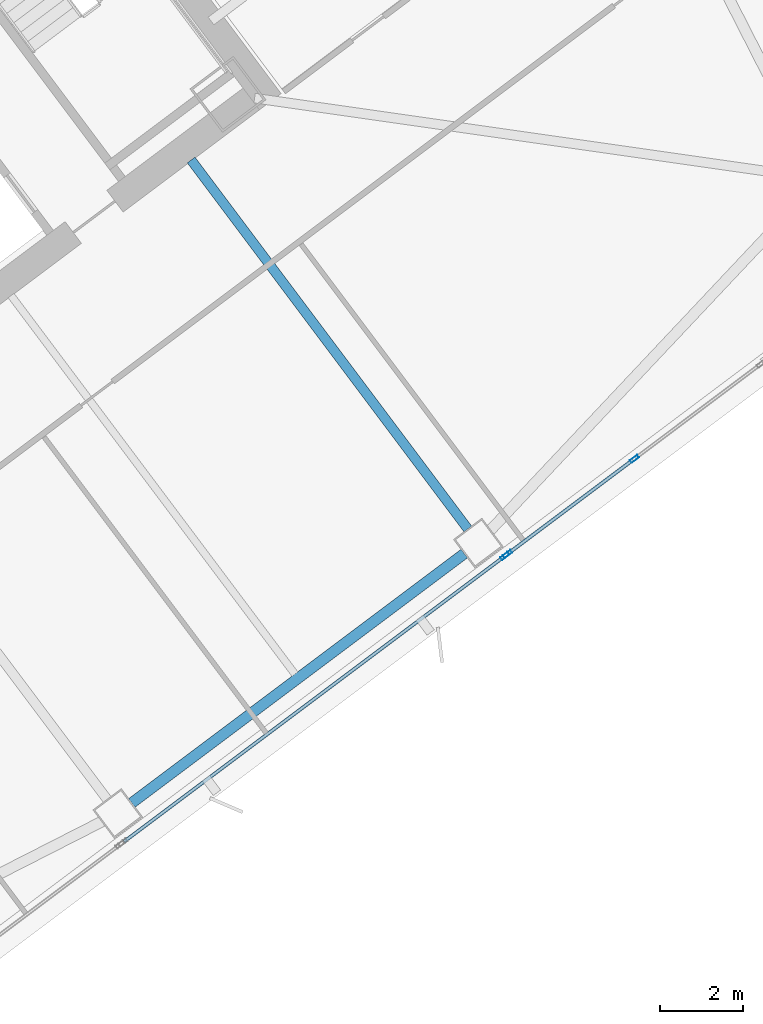
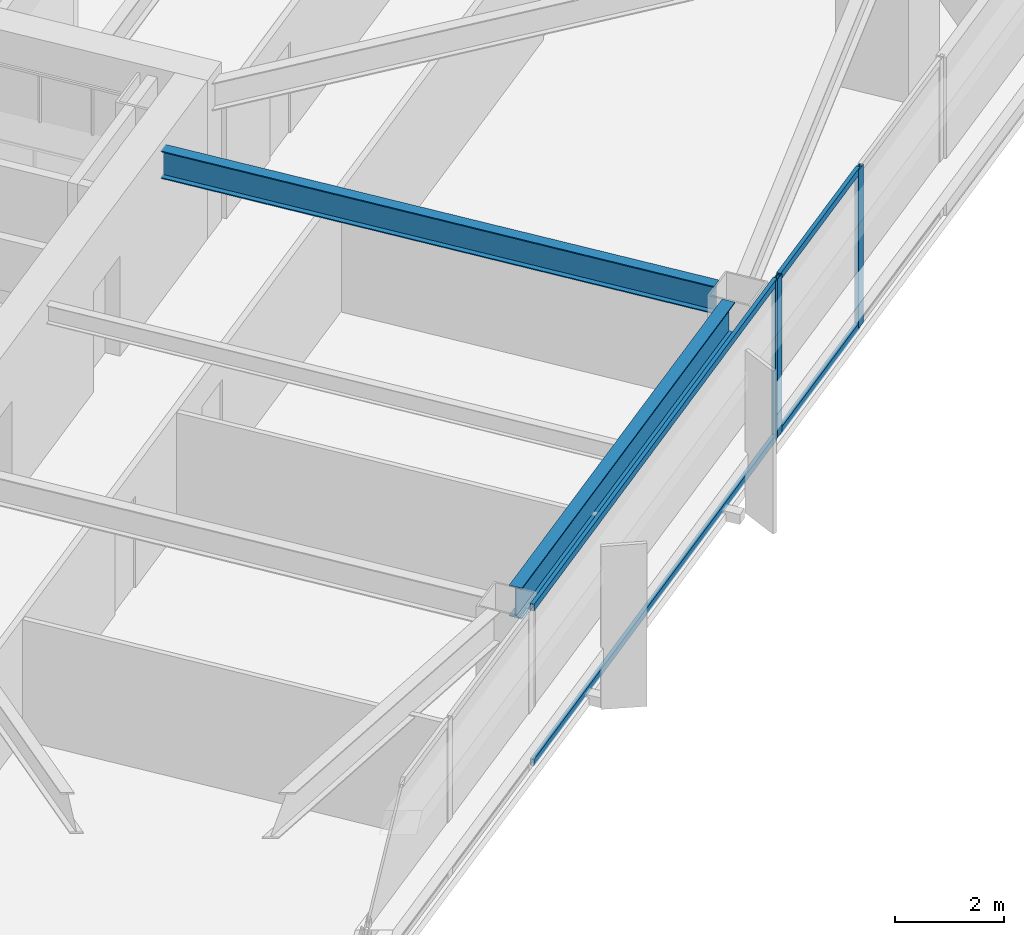
# One storey, part 26 of 49: 7 members, 2 beams, 2 elements without a shape of their own.
"""IFC4 building model written with IfcOpenShell, lengths in metres."""

from ifc_helpers import new_model, si_unit, direction, frame, origin, origin_2d, place, context, subcontext, project, spatial, hollow_rectangle, i_section, extrude, material, material_profile, profile_set, type_object, element, aggregate, save


model = new_model("IFC4")

# Units and contexts
model_context = context("Model", 3, precision=1e-05, world=origin(), true_north=direction((0.0, 1.0)))
body_context = subcontext(model_context, "Body", "Model", "MODEL_VIEW")
ifc_project = project(units=[si_unit("LENGTHUNIT", "METRE"), si_unit("AREAUNIT", "SQUARE_METRE"), si_unit("VOLUMEUNIT", "CUBIC_METRE"), si_unit("PLANEANGLEUNIT", "RADIAN"), si_unit("MASSUNIT", "GRAM", prefix="KILO")], contexts=[model_context])

# Site, building, storey
site_placement = place(None, origin())
site = spatial("IfcSite", under=ifc_project, at=site_placement, CompositionType="ELEMENT")
building_placement = place(site_placement, origin())
building = spatial("IfcBuilding", under=site, at=building_placement, Name="Tashvorn Skyway Center", CompositionType="ELEMENT")
storey_placement = place(building_placement, frame((0.0, 0.0, 70.75)))
storey = spatial("IfcBuildingStorey", under=building, at=storey_placement, Name="L18", CompositionType="ELEMENT", Elevation=70.75)

# Beams
ifc_material_1 = material(Name="Steel ASTM A992 Grade 50", Category="steel")
ifc_material_profile_1 = material_profile(ifc_material_1, i_section(OverallWidth=0.22998046875, OverallDepth=0.616943359375, WebThickness=0.01318359375, FlangeThickness=0.022216796875, at=origin_2d()), Name="W24X94")
ifc_profile_set_1 = profile_set([ifc_material_profile_1], Name="Steel ASTM A992 Grade 50")
beam_type_1 = type_object("IfcBeamType", Name="BM-BEAM-W24X94", PredefinedType="BEAM", material=ifc_profile_set_1)
beam_1_placement = place(storey_placement, frame((129.617919921875, 20.176025390625, 3.04150390625), z_axis=(-0.599989394744, 0.800007953832, 0.0), x_axis=(-0.800007953832, -0.599989394744, 0.0)))
element("IfcBeam", 1, at=beam_1_placement, inside=storey, type_object=beam_type_1, Name="Tower 2 L18 Primary Floor Girder FC-S2", PredefinedType="BEAM", context=body_context, shape_type="SweptSolid", body=[
    extrude(i_section(OverallWidth=0.22998046875, OverallDepth=0.616943359375, WebThickness=0.01318359375, FlangeThickness=0.022216796875, at=origin_2d()), origin(), (0.0, 0.0, 1.0), 11.050048828125),
])
ifc_material_profile_2 = material_profile(ifc_material_1, i_section(OverallWidth=0.256103515625, OverallDepth=0.693115234375, WebThickness=0.014404296875, FlangeThickness=0.023681640625, at=origin_2d()), Name="W27X114")
ifc_profile_set_2 = profile_set([ifc_material_profile_2], Name="Steel ASTM A992 Grade 50")
beam_type_2 = type_object("IfcBeamType", Name="BM-SPANDREL-W27X114", PredefinedType="SPANDREL", material=ifc_profile_set_2)
beam_2_placement = place(storey_placement, frame((121.56591796875, 13.612060546875, 3.00341796875), z_axis=(0.800008824351, 0.599988234018, 0.0), x_axis=(-0.599988234018, 0.800008824351, 0.0)))
element("IfcBeam", 2, at=beam_2_placement, inside=storey, type_object=beam_type_2, Name="Tower 2 L18 Spandrel Beam 02", PredefinedType="SPANDREL", context=body_context, shape_type="SweptSolid", body=[
    extrude(i_section(OverallWidth=0.256103515625, OverallDepth=0.693115234375, WebThickness=0.014404296875, FlangeThickness=0.023681640625, at=origin_2d()), origin(), (0.0, 0.0, 1.0), 9.9599609375),
])

# Curtain wall, members
ifc_material_2 = material(Name="Thermally broken bronze-anodized aluminium 6063-T6", Category="aluminium")
curtain_wall_type = type_object("IfcCurtainWallType", Name="CW-CW-Z2", PredefinedType="NOTDEFINED", material=ifc_material_2)
curtain_wall_1_placement = place(storey_placement, origin())
curtain_wall_1 = element("IfcCurtainWall", 3, at=curtain_wall_1_placement, inside=storey, type_object=curtain_wall_type, Name="Tower 2 L18 South Unitised Curtain Wall Glazing Group 1", PredefinedType="NOTDEFINED")
ifc_material_profile_3 = material_profile(ifc_material_2, hollow_rectangle(XDim=0.080078125, YDim=0.219970703125, WallThickness=0.0048828125, at=origin_2d()), Name="ALU-MULL-80x220")
ifc_profile_set_3 = profile_set([ifc_material_profile_3], Name="Thermally broken bronze-anodized aluminium 6063-T6")
member_type_1 = type_object("IfcMemberType", Name="CWM-CW-Z2", PredefinedType="MULLION", material=ifc_profile_set_3)
member_1_placement = place(storey_placement, frame((133.60791015625, 21.85595703125, 0.0), z_axis=(0.0, 0.0, 1.0), x_axis=(0.600000000002, -0.799999999998, 0.0)))
member_1 = element("IfcMember", 4, at=member_1_placement, type_object=member_type_1, Name="CW-Z2 mullion 2", PredefinedType="MULLION", context=body_context, shape_type="SweptSolid", body=[
    extrude(hollow_rectangle(XDim=0.080078125, YDim=0.219970703125, WallThickness=0.0048828125, at=origin_2d()), origin(), (0.0, 0.0, 1.0), 3.550048828125),
])
member_2_placement = place(storey_placement, frame((130.568115234375, 19.575927734375, 0.0), z_axis=(0.0, 0.0, 1.0), x_axis=(0.600000000002, -0.799999999998, 0.0)))
member_2 = element("IfcMember", 5, at=member_2_placement, type_object=member_type_1, Name="CW-Z2 mullion 3", PredefinedType="MULLION", context=body_context, shape_type="SweptSolid", body=[
    extrude(hollow_rectangle(XDim=0.080078125, YDim=0.219970703125, WallThickness=0.0048828125, at=origin_2d()), origin(), (0.0, 0.0, 1.0), 3.550048828125),
])

# Curtain wall, member
curtain_wall_2_placement = place(storey_placement, origin())
curtain_wall_2 = element("IfcCurtainWall", 6, at=curtain_wall_2_placement, inside=storey, type_object=curtain_wall_type, Name="Tower 2 L18 South Unitised Curtain Wall Glazing Group 2", PredefinedType="NOTDEFINED")
member_3_placement = place(storey_placement, frame((130.50390625, 19.528076171875, 0.0), z_axis=(0.0, 0.0, 1.0), x_axis=(0.600000000002, -0.799999999998, 0.0)))
member_3 = element("IfcMember", 7, at=member_3_placement, type_object=member_type_1, Name="CW-Z2 mullion 1", PredefinedType="MULLION", context=body_context, shape_type="SweptSolid", body=[
    extrude(hollow_rectangle(XDim=0.080078125, YDim=0.219970703125, WallThickness=0.0048828125, at=origin_2d()), origin(), (0.0, 0.0, 1.0), 3.550048828125),
])

# Member
ifc_material_profile_4 = material_profile(ifc_material_2, hollow_rectangle(XDim=0.080078125, YDim=0.14990234375, WallThickness=0.00439453125, at=origin_2d()), Name="ALU-TRAN-80x150")
ifc_profile_set_4 = profile_set([ifc_material_profile_4], Name="Thermally broken bronze-anodized aluminium 6063-T6")
member_type_2 = type_object("IfcMemberType", Name="CWT-CW-Z2", PredefinedType="USERDEFINED", material=ifc_profile_set_4)
member_4_placement = place(storey_placement, frame((133.575927734375, 21.83203125, 0.0400390625), z_axis=(-0.799992124055, -0.600010501117, 0.0), x_axis=(0.600010501117, -0.799992124055, 0.0)))
member_4 = element("IfcMember", 8, at=member_4_placement, type_object=member_type_2, Name="CW-Z2 transom 2.1", ObjectType="TRANSOM", PredefinedType="USERDEFINED", context=body_context, shape_type="SweptSolid", body=[
    extrude(hollow_rectangle(XDim=0.080078125, YDim=0.14990234375, WallThickness=0.00439453125, at=origin_2d()), origin(), (0.0, 0.0, 1.0), 3.7197265625),
])

member_5_placement = place(storey_placement, frame((133.575927734375, 21.83203125, 3.510009765625), z_axis=(-0.799992124055, -0.600010501117, 0.0), x_axis=(0.600010501117, -0.799992124055, 0.0)))
member_5 = element("IfcMember", 9, at=member_5_placement, type_object=member_type_2, Name="CW-Z2 transom 2.2", ObjectType="TRANSOM", PredefinedType="USERDEFINED", context=body_context, shape_type="SweptSolid", body=[
    extrude(hollow_rectangle(XDim=0.080078125, YDim=0.14990234375, WallThickness=0.00439453125, at=origin_2d()), origin(), (0.0, 0.0, 1.0), 3.7197265625),
])

aggregate(curtain_wall_1, [member_1, member_2, member_4, member_5])

member_6_placement = place(storey_placement, frame((130.471923828125, 19.50390625, 0.0400390625), z_axis=(-0.8, -0.6, 0.0), x_axis=(0.6, -0.8, 0.0)))
member_6 = element("IfcMember", 10, at=member_6_placement, type_object=member_type_2, Name="CW-Z2 transom 1.1", ObjectType="TRANSOM", PredefinedType="USERDEFINED", context=body_context, shape_type="SweptSolid", body=[
    extrude(hollow_rectangle(XDim=0.080078125, YDim=0.14990234375, WallThickness=0.00439453125, at=origin_2d()), origin(), (0.0, 0.0, 1.0), 11.35986328125),
])

member_7_placement = place(storey_placement, frame((130.471923828125, 19.50390625, 3.510009765625), z_axis=(-0.8, -0.6, 0.0), x_axis=(0.6, -0.8, 0.0)))
member_7 = element("IfcMember", 11, at=member_7_placement, type_object=member_type_2, Name="CW-Z2 transom 1.2", ObjectType="TRANSOM", PredefinedType="USERDEFINED", context=body_context, shape_type="SweptSolid", body=[
    extrude(hollow_rectangle(XDim=0.080078125, YDim=0.14990234375, WallThickness=0.00439453125, at=origin_2d()), origin(), (0.0, 0.0, 1.0), 11.35986328125),
])

aggregate(curtain_wall_2, [member_3, member_6, member_7])

save(model, "model.ifc")
